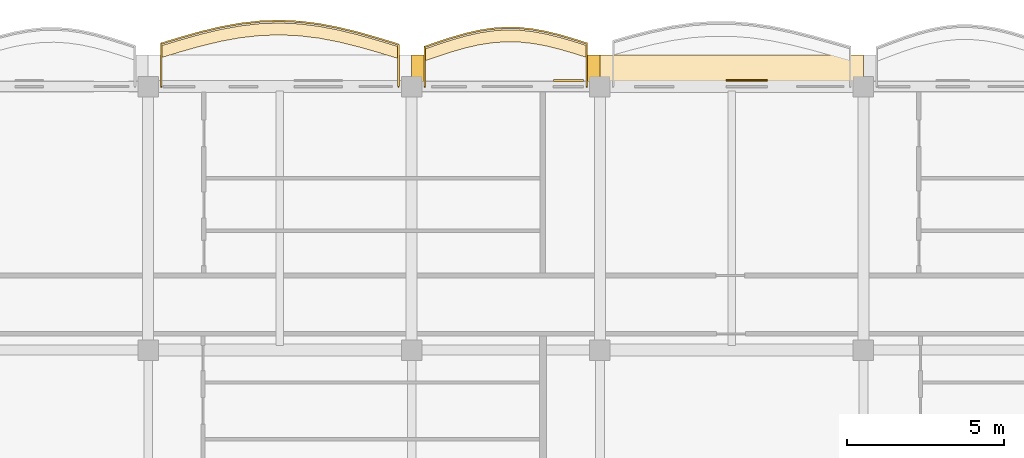
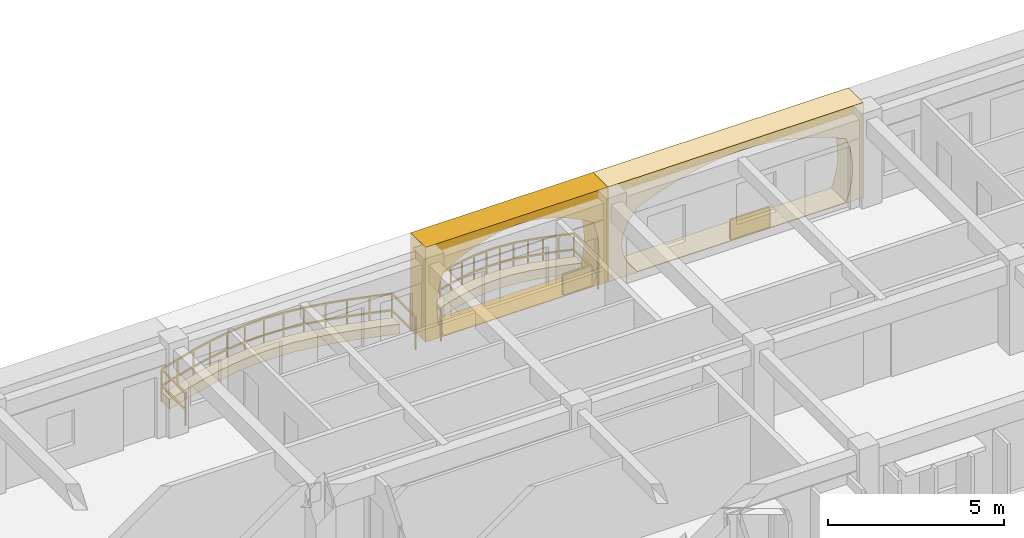
# One storey, part 67 of 79: 6 coverings, 2 railings.
"""IFC4 building model written with IfcOpenShell, lengths in metres."""

from ifc_helpers import new_model, si_unit, direction, frame, origin, origin_2d, place, context, subcontext, project, spatial, polyline, rectangle, outline, extrude, material, layer, layer_set, type_object, element, save


model = new_model("IFC4")

# Units and contexts
model_context = context("Model", 3, precision=1e-05, world=origin(), true_north=direction((0.0, 1.0)))
body_context = subcontext(model_context, "Body", "Model", "MODEL_VIEW")
ifc_project = project(units=[si_unit("LENGTHUNIT", "METRE"), si_unit("AREAUNIT", "SQUARE_METRE"), si_unit("VOLUMEUNIT", "CUBIC_METRE"), si_unit("PLANEANGLEUNIT", "RADIAN"), si_unit("MASSUNIT", "GRAM", prefix="KILO"), si_unit("THERMODYNAMICTEMPERATUREUNIT", "KELVIN")], contexts=[model_context])

# Site, building, storey
site_placement = place(None, origin())
site = spatial("IfcSite", under=ifc_project, at=site_placement, CompositionType="ELEMENT")
building_placement = place(site_placement, origin())
building = spatial("IfcBuilding", under=site, at=building_placement, Name="Thalorik Housing Commons", CompositionType="ELEMENT")
storey_placement = place(building_placement, frame((0.0, 0.0, 11.39990234375)))
storey = spatial("IfcBuildingStorey", under=building, at=storey_placement, Name="L03", CompositionType="ELEMENT", Elevation=11.39990234375)

# Coverings
ifc_material_1 = material(Name="Cobalt blue glazed ceramic facade tile panel", Category="masonry")
ifc_layer_1 = layer(ifc_material_1, 0.06005859375, Name="Cobalt blue glazed ceramic facade tile panel", Category="masonry")
ifc_layer_set_1 = layer_set([ifc_layer_1], Name="Cobalt blue glazed ceramic facade tile panel")
covering_type_1 = type_object("IfcCoveringType", Name="ARC-CLD-BLU-60", PredefinedType="CLADDING", material=ifc_layer_set_1)
covering_1_placement = place(storey_placement, frame((134.284912109375, 123.794921875, 0.05029296875), z_axis=(0.0, 0.0, 1.0), x_axis=(-1.0, 0.0, 0.0)))
element("IfcCovering", 1, at=covering_1_placement, inside=storey, type_object=covering_type_1, Name="L03 De Stijl Recessed Window Spandrel 1859", PredefinedType="CLADDING", context=body_context, shape_type="SweptSolid", body=[
    extrude(rectangle(XDim=1.300048828125, YDim=0.06005859375, at=origin_2d()), origin(), (0.0, 0.0, 1.0), 0.699951171875),
])
ifc_material_2 = material(Name="Precast concrete C40/50", Category="concrete")
ifc_layer_2 = layer(ifc_material_2, 0.85009765625, Name="Precast concrete C40/50", Category="concrete")
ifc_layer_set_2 = layer_set([ifc_layer_2], Name="Precast concrete C40/50")
covering_type_2 = type_object("IfcCoveringType", Name="ARC-CLD-CUSH-850", PredefinedType="CLADDING", material=ifc_layer_set_2)
covering_2_placement = place(storey_placement, frame((133.800048828125, 124.18505859375, 0.0), z_axis=(0.0, 0.0, 1.0), x_axis=(-1.0, 0.0, 0.0)))
element("IfcCovering", 2, at=covering_2_placement, inside=storey, type_object=covering_type_2, Name="L03 White Precast Curved Cushion Bay Frame 1858", PredefinedType="CLADDING", context=body_context, shape_type="SweptSolid", body=[
    extrude(outline(polyline([(-4.199951171875, 0.0), (4.199951171875, 0.0), (4.199951171875, 3.300048828125), (-4.199951171875, 3.300048828125), (-4.199951171875, 0.0)]), holes=[polyline([(3.239990234375, 0.02490234375), (3.523193359375, 0.394287109375), (3.693359375, 0.76318359375), (3.75, 1.132568359375), (3.693359375, 1.501708984375), (3.523193359375, 1.870849609375), (3.239990234375, 2.239990234375), (2.66748046875, 2.4833984375), (2.094970703125, 2.6748046875), (1.5224609375, 2.82958984375), (0.949951171875, 2.94482421875), (0.37744140625, 3.01611328125), (-0.195068359375, 3.0400390625), (-0.767578125, 3.01611328125), (-1.340087890625, 2.94482421875), (-1.91259765625, 2.82958984375), (-2.485107421875, 2.6748046875), (-3.0576171875, 2.4833984375), (-3.6298828125, 2.239990234375), (-3.750244140625, 1.870849609375), (-3.822509765625, 1.501708984375), (-3.8466796875, 1.132568359375), (-3.822509765625, 0.76318359375), (-3.750244140625, 0.394287109375), (-3.6298828125, 0.02490234375), (3.239990234375, 0.02490234375)])]), frame((0.0, 0.425048828125, 0.0), z_axis=(0.0, -1.0, 0.0), x_axis=(1.0, 0.0, 0.0)), (0.0, 0.0, 1.0), 0.85009765625),
])
covering_3_placement = place(storey_placement, frame((126.60009765625, 124.18505859375, 0.0), z_axis=(0.0, 0.0, 1.0), x_axis=(-1.0, 0.0, 0.0)))
element("IfcCovering", 3, at=covering_3_placement, inside=storey, type_object=covering_type_2, Name="L03 White Precast Curved Cushion Bay Frame 1860", PredefinedType="CLADDING", context=body_context, shape_type="SweptSolid", body=[
    extrude(outline(polyline([(-3.0, 0.0), (3.0, 0.0), (3.0, 3.300048828125), (-3.0, 3.300048828125), (-3.0, 0.0)]), holes=[polyline([(2.405029296875, 0.02490234375), (2.530517578125, 0.394287109375), (2.60595703125, 0.76318359375), (2.631103515625, 1.132568359375), (2.60595703125, 1.501708984375), (2.530517578125, 1.870849609375), (2.405029296875, 2.239990234375), (1.99462890625, 2.4833984375), (1.584228515625, 2.6748046875), (1.173828125, 2.82958984375), (0.76318359375, 2.94482421875), (0.352783203125, 3.01611328125), (-0.0576171875, 3.0400390625), (-0.468017578125, 3.01611328125), (-0.87841796875, 2.94482421875), (-1.288818359375, 2.82958984375), (-1.69921875, 2.6748046875), (-2.109619140625, 2.4833984375), (-2.52001953125, 2.239990234375), (-2.621337890625, 1.870849609375), (-2.68212890625, 1.501708984375), (-2.702392578125, 1.132568359375), (-2.68212890625, 0.76318359375), (-2.621337890625, 0.394287109375), (-2.52001953125, 0.02490234375), (2.405029296875, 0.02490234375)])]), frame((0.0, 0.425048828125, 0.0), z_axis=(0.0, -1.0, 0.0), x_axis=(1.0, 0.0, 0.0)), (0.0, 0.0, 1.0), 0.85009765625),
])
ifc_material_3 = material(Name="Mineral ochre architectural terracotta panel", Category="masonry")
ifc_layer_3 = layer(ifc_material_3, 0.06494140625, Name="Mineral ochre architectural terracotta panel", Category="masonry")
ifc_layer_set_3 = layer_set([ifc_layer_3], Name="Mineral ochre architectural terracotta panel")
covering_type_3 = type_object("IfcCoveringType", Name="ARC-CLD-YEL-65", PredefinedType="CLADDING", material=ifc_layer_set_3)
covering_4_placement = place(storey_placement, frame((128.594970703125, 123.797607421875, 0.05029296875), z_axis=(0.0, 0.0, 1.0), x_axis=(-1.0, 0.0, 0.0)))
element("IfcCovering", 4, at=covering_4_placement, inside=storey, type_object=covering_type_3, Name="L03 De Stijl Recessed Window Spandrel 1861", PredefinedType="CLADDING", context=body_context, shape_type="SweptSolid", body=[
    extrude(rectangle(XDim=0.949951171875, YDim=0.06494140625, at=origin_2d()), origin(), (0.0, 0.0, 1.0), 0.699951171875),
])
ifc_material_4 = material(Name="Planted vegetated substrate and terracotta trough", Category="masonry")
ifc_layer_4 = layer(ifc_material_4, 0.340087890625, Name="Planted vegetated substrate and terracotta trough", Category="masonry")
ifc_layer_set_4 = layer_set([ifc_layer_4], Name="Planted vegetated substrate and terracotta trough")
covering_type_4 = type_object("IfcCoveringType", Name="ARC-COV-PLANTER", PredefinedType="USERDEFINED", material=ifc_layer_set_4)
covering_5_placement = place(storey_placement, origin())
element("IfcCovering", 5, at=covering_5_placement, inside=storey, type_object=covering_type_4, Name="L03 Balcony Slab-Edge Planted Trough 5439", ObjectType="PLANTER", PredefinedType="USERDEFINED", context=body_context, shape_type="SweptSolid", body=[
    extrude(outline(polyline([(123.179931640625, 124.874267578125), (122.550048828125, 125.065185546875), (121.919921875, 125.24462890625), (121.2900390625, 125.400390625), (120.659912109375, 125.521484375), (120.030029296875, 125.599609375), (119.39990234375, 125.62890625), (118.77001953125, 125.60791015625), (118.139892578125, 125.53759765625), (117.510009765625, 125.423095703125), (116.8798828125, 125.2724609375), (116.25, 125.095703125), (115.6201171875, 124.9052734375), (115.6201171875, 124.525146484375), (116.25, 124.715576171875), (116.8798828125, 124.892333984375), (117.510009765625, 125.043212890625), (118.139892578125, 125.15771484375), (118.77001953125, 125.227783203125), (119.39990234375, 125.2490234375), (120.030029296875, 125.219482421875), (120.659912109375, 125.1416015625), (121.2900390625, 125.0205078125), (121.919921875, 124.86474609375), (122.550048828125, 124.685302734375), (123.179931640625, 124.494384765625), (123.179931640625, 124.874267578125)])), origin(), (0.0, 0.0, 1.0), 0.340087890625),
])
covering_6_placement = place(storey_placement, origin())
element("IfcCovering", 6, at=covering_6_placement, inside=storey, type_object=covering_type_4, Name="L03 Balcony Slab-Edge Planted Trough 5440", ObjectType="PLANTER", PredefinedType="USERDEFINED", context=body_context, shape_type="SweptSolid", body=[
    extrude(outline(polyline([(129.179931640625, 124.908203125), (128.75, 125.04443359375), (128.320068359375, 125.170166015625), (127.889892578125, 125.2763671875), (127.4599609375, 125.35498046875), (127.030029296875, 125.39990234375), (126.60009765625, 125.407958984375), (126.169921875, 125.377685546875), (125.739990234375, 125.311279296875), (125.31005859375, 125.212890625), (124.8798828125, 125.089111328125), (124.449951171875, 124.948486328125), (124.02001953125, 124.80078125), (124.02001953125, 124.4208984375), (124.449951171875, 124.568603515625), (124.8798828125, 124.708984375), (125.31005859375, 124.832763671875), (125.739990234375, 124.931396484375), (126.169921875, 124.997802734375), (126.60009765625, 125.02783203125), (127.030029296875, 125.02001953125), (127.4599609375, 124.974853515625), (127.889892578125, 124.896240234375), (128.320068359375, 124.790283203125), (128.75, 124.664306640625), (129.179931640625, 124.5283203125), (129.179931640625, 124.908203125)])), origin(), (0.0, 0.0, 1.0), 0.340087890625),
])

# Railings
ifc_material_5 = material(Name="Steel S355", Category="steel")
railing_type_1 = type_object("IfcRailingType", Name="ARC-RL-BAL-112", PredefinedType="BALUSTRADE", material=ifc_material_5)
railing_1_placement = place(storey_placement, frame((129.179931640625, 123.60009765625, 0.0)))
element("IfcRailing", 7, at=railing_1_placement, inside=storey, type_object=railing_type_1, Name="L03 Cushion Balcony Guardrail 124", PredefinedType="BALUSTRADE", context=body_context, shape_type="SweptSolid", body=[
    extrude(rectangle(XDim=0.050048828125, YDim=0.050048828125, at=origin_2d()), frame((0.0, 0.0, 1.09521484375), z_axis=(0.0, 1.0, 0.0), x_axis=(-1.0, 0.0, 0.0)), (0.0, 0.0, 1.0), 1.378173828125),
    extrude(rectangle(XDim=0.050048828125, YDim=0.050048828125, at=origin_2d()), frame((0.0, 0.0, 0.53515625), z_axis=(0.0, 1.0, 0.0), x_axis=(-1.0, 0.0, 0.0)), (0.0, 0.0, 1.0), 1.378173828125),
    extrude(rectangle(XDim=0.050048828125, YDim=0.050048828125, at=origin_2d()), frame((0.0, 1.378173828125, 1.09521484375), z_axis=(-0.953287680153, 0.302063898652, 0.0), x_axis=(-0.302063898652, -0.953287680153, 0.0)), (0.0, 0.0, 1.0), 0.450927734375),
    extrude(rectangle(XDim=0.050048828125, YDim=0.050048828125, at=origin_2d()), frame((0.0, 1.378173828125, 0.53515625), z_axis=(-0.953287680153, 0.302063898652, 0.0), x_axis=(-0.302063898652, -0.953287680153, 0.0)), (0.0, 0.0, 1.0), 0.450927734375),
    extrude(rectangle(XDim=0.050048828125, YDim=0.050048828125, at=origin_2d()), frame((-0.429931640625, 1.514404296875, 1.09521484375), z_axis=(-0.959798308367, 0.280690589897, 0.0), x_axis=(-0.280690589897, -0.959798308367, 0.0)), (0.0, 0.0, 1.0), 0.447998046875),
    extrude(rectangle(XDim=0.050048828125, YDim=0.050048828125, at=origin_2d()), frame((-0.429931640625, 1.514404296875, 0.53515625), z_axis=(-0.959798308367, 0.280690589897, 0.0), x_axis=(-0.280690589897, -0.959798308367, 0.0)), (0.0, 0.0, 1.0), 0.447998046875),
    extrude(rectangle(XDim=0.050048828125, YDim=0.050048828125, at=origin_2d()), frame((-0.85986328125, 1.64013671875, 1.09521484375), z_axis=(-0.970979450466, 0.239162929343, 0.0), x_axis=(-0.239162929343, -0.970979450466, 0.0)), (0.0, 0.0, 1.0), 0.443115234375),
    extrude(rectangle(XDim=0.050048828125, YDim=0.050048828125, at=origin_2d()), frame((-0.85986328125, 1.64013671875, 0.53515625), z_axis=(-0.970979450466, 0.239162929343, 0.0), x_axis=(-0.239162929343, -0.970979450466, 0.0)), (0.0, 0.0, 1.0), 0.443115234375),
    extrude(rectangle(XDim=0.050048828125, YDim=0.050048828125, at=origin_2d()), frame((-1.2900390625, 1.74609375, 1.09521484375), z_axis=(-0.983690667617, 0.179868480961, 0.0), x_axis=(-0.179868480961, -0.983690667617, 0.0)), (0.0, 0.0, 1.0), 0.43701171875),
    extrude(rectangle(XDim=0.050048828125, YDim=0.050048828125, at=origin_2d()), frame((-1.2900390625, 1.74609375, 0.53515625), z_axis=(-0.983690667617, 0.179868480961, 0.0), x_axis=(-0.179868480961, -0.983690667617, 0.0)), (0.0, 0.0, 1.0), 0.43701171875),
    extrude(rectangle(XDim=0.050048828125, YDim=0.050048828125, at=origin_2d()), frame((-1.719970703125, 1.82470703125, 1.09521484375), z_axis=(-0.994527093325, 0.104478996176, 0.0), x_axis=(-0.104478996176, -0.994527093325, 0.0)), (0.0, 0.0, 1.0), 0.432373046875),
    extrude(rectangle(XDim=0.050048828125, YDim=0.050048828125, at=origin_2d()), frame((-1.719970703125, 1.82470703125, 0.53515625), z_axis=(-0.994527093325, 0.104478996176, 0.0), x_axis=(-0.104478996176, -0.994527093325, 0.0)), (0.0, 0.0, 1.0), 0.432373046875),
    extrude(rectangle(XDim=0.050048828125, YDim=0.050048828125, at=origin_2d()), frame((-2.14990234375, 1.869873046875, 1.09521484375), z_axis=(-0.999834939289, 0.01816849407, 0.0), x_axis=(-0.01816849407, -0.999834939289, 0.0)), (0.0, 0.0, 1.0), 0.429931640625),
    extrude(rectangle(XDim=0.050048828125, YDim=0.050048828125, at=origin_2d()), frame((-2.14990234375, 1.869873046875, 0.53515625), z_axis=(-0.999834939289, 0.01816849407, 0.0), x_axis=(-0.01816849407, -0.999834939289, 0.0)), (0.0, 0.0, 1.0), 0.429931640625),
    extrude(rectangle(XDim=0.050048828125, YDim=0.050048828125, at=origin_2d()), frame((-2.579833984375, 1.877685546875, 1.09521484375), z_axis=(-0.997572357633, -0.069637570936, 0.0), x_axis=(0.069637570936, -0.997572357633, 0.0)), (0.0, 0.0, 1.0), 0.43115234375),
    extrude(rectangle(XDim=0.050048828125, YDim=0.050048828125, at=origin_2d()), frame((-2.579833984375, 1.877685546875, 0.53515625), z_axis=(-0.997572357633, -0.069637570936, 0.0), x_axis=(0.069637570936, -0.997572357633, 0.0)), (0.0, 0.0, 1.0), 0.43115234375),
    extrude(rectangle(XDim=0.050048828125, YDim=0.050048828125, at=origin_2d()), frame((-3.010009765625, 1.84765625, 1.09521484375), z_axis=(-0.988280690568, -0.152647556976, 0.0), x_axis=(0.152647556976, -0.988280690568, 0.0)), (0.0, 0.0, 1.0), 0.43505859375),
    extrude(rectangle(XDim=0.050048828125, YDim=0.050048828125, at=origin_2d()), frame((-3.010009765625, 1.84765625, 0.53515625), z_axis=(-0.988280690568, -0.152647556976, 0.0), x_axis=(0.152647556976, -0.988280690568, 0.0)), (0.0, 0.0, 1.0), 0.43505859375),
    extrude(rectangle(XDim=0.050048828125, YDim=0.050048828125, at=origin_2d()), frame((-3.43994140625, 1.78125, 1.09521484375), z_axis=(-0.974679568058, -0.2236062155, 0.0), x_axis=(0.2236062155, -0.974679568058, 0.0)), (0.0, 0.0, 1.0), 0.441162109375),
    extrude(rectangle(XDim=0.050048828125, YDim=0.050048828125, at=origin_2d()), frame((-3.43994140625, 1.78125, 0.53515625), z_axis=(-0.974679568058, -0.2236062155, 0.0), x_axis=(0.2236062155, -0.974679568058, 0.0)), (0.0, 0.0, 1.0), 0.441162109375),
    extrude(rectangle(XDim=0.050048828125, YDim=0.050048828125, at=origin_2d()), frame((-3.869873046875, 1.6826171875, 1.09521484375), z_axis=(-0.961007725956, -0.27652151933, 0.0), x_axis=(0.27652151933, -0.961007725956, 0.0)), (0.0, 0.0, 1.0), 0.447509765625),
    extrude(rectangle(XDim=0.050048828125, YDim=0.050048828125, at=origin_2d()), frame((-3.869873046875, 1.6826171875, 0.53515625), z_axis=(-0.961007725956, -0.27652151933, 0.0), x_axis=(0.27652151933, -0.961007725956, 0.0)), (0.0, 0.0, 1.0), 0.447509765625),
    extrude(rectangle(XDim=0.050048828125, YDim=0.050048828125, at=origin_2d()), frame((-4.300048828125, 1.558837890625, 1.09521484375), z_axis=(-0.950608707094, -0.310391826564, 0.0), x_axis=(0.310391826564, -0.950608707094, 0.0)), (0.0, 0.0, 1.0), 0.4521484375),
    extrude(rectangle(XDim=0.050048828125, YDim=0.050048828125, at=origin_2d()), frame((-4.300048828125, 1.558837890625, 0.53515625), z_axis=(-0.950608707094, -0.310391826564, 0.0), x_axis=(0.310391826564, -0.950608707094, 0.0)), (0.0, 0.0, 1.0), 0.4521484375),
    extrude(rectangle(XDim=0.050048828125, YDim=0.050048828125, at=origin_2d()), frame((-4.72998046875, 1.41845703125, 1.09521484375), z_axis=(-0.945743338546, -0.324914662022, 0.0), x_axis=(0.324914662022, -0.945743338546, 0.0)), (0.0, 0.0, 1.0), 0.45458984375),
    extrude(rectangle(XDim=0.050048828125, YDim=0.050048828125, at=origin_2d()), frame((-4.72998046875, 1.41845703125, 0.53515625), z_axis=(-0.945743338546, -0.324914662022, 0.0), x_axis=(0.324914662022, -0.945743338546, 0.0)), (0.0, 0.0, 1.0), 0.45458984375),
    extrude(rectangle(XDim=0.050048828125, YDim=0.050048828125, at=origin_2d()), frame((-5.159912109375, 1.270751953125, 1.09521484375), z_axis=(0.0, -1.0, 0.0), x_axis=(1.0, 0.0, 0.0)), (0.0, 0.0, 1.0), 1.270751953125),
    extrude(rectangle(XDim=0.050048828125, YDim=0.050048828125, at=origin_2d()), frame((-5.159912109375, 1.270751953125, 0.53515625), z_axis=(0.0, -1.0, 0.0), x_axis=(1.0, 0.0, 0.0)), (0.0, 0.0, 1.0), 1.270751953125),
    extrude(rectangle(XDim=0.0419921875, YDim=0.0419921875, at=origin_2d()), origin(), (0.0, 0.0, 1.0), 1.070068359375),
    extrude(rectangle(XDim=0.0419921875, YDim=0.0419921875, at=origin_2d()), frame((0.0, 1.378173828125, 0.0)), (0.0, 0.0, 1.0), 1.070068359375),
    extrude(rectangle(XDim=0.0419921875, YDim=0.0419921875, at=origin_2d()), frame((-0.429931640625, 1.514404296875, 0.0)), (0.0, 0.0, 1.0), 1.070068359375),
    extrude(rectangle(XDim=0.0419921875, YDim=0.0419921875, at=origin_2d()), frame((-0.85986328125, 1.64013671875, 0.0)), (0.0, 0.0, 1.0), 1.070068359375),
    extrude(rectangle(XDim=0.0419921875, YDim=0.0419921875, at=origin_2d()), frame((-1.2900390625, 1.74609375, 0.0)), (0.0, 0.0, 1.0), 1.070068359375),
    extrude(rectangle(XDim=0.0419921875, YDim=0.0419921875, at=origin_2d()), frame((-1.719970703125, 1.82470703125, 0.0)), (0.0, 0.0, 1.0), 1.070068359375),
    extrude(rectangle(XDim=0.0419921875, YDim=0.0419921875, at=origin_2d()), frame((-2.14990234375, 1.869873046875, 0.0)), (0.0, 0.0, 1.0), 1.070068359375),
    extrude(rectangle(XDim=0.0419921875, YDim=0.0419921875, at=origin_2d()), frame((-2.579833984375, 1.877685546875, 0.0)), (0.0, 0.0, 1.0), 1.070068359375),
    extrude(rectangle(XDim=0.0419921875, YDim=0.0419921875, at=origin_2d()), frame((-3.010009765625, 1.84765625, 0.0)), (0.0, 0.0, 1.0), 1.070068359375),
    extrude(rectangle(XDim=0.0419921875, YDim=0.0419921875, at=origin_2d()), frame((-3.43994140625, 1.78125, 0.0)), (0.0, 0.0, 1.0), 1.070068359375),
    extrude(rectangle(XDim=0.0419921875, YDim=0.0419921875, at=origin_2d()), frame((-3.869873046875, 1.6826171875, 0.0)), (0.0, 0.0, 1.0), 1.070068359375),
    extrude(rectangle(XDim=0.0419921875, YDim=0.0419921875, at=origin_2d()), frame((-4.300048828125, 1.558837890625, 0.0)), (0.0, 0.0, 1.0), 1.070068359375),
    extrude(rectangle(XDim=0.0419921875, YDim=0.0419921875, at=origin_2d()), frame((-4.72998046875, 1.41845703125, 0.0)), (0.0, 0.0, 1.0), 1.070068359375),
    extrude(rectangle(XDim=0.0419921875, YDim=0.0419921875, at=origin_2d()), frame((-5.159912109375, 1.270751953125, 0.0)), (0.0, 0.0, 1.0), 1.070068359375),
    extrude(rectangle(XDim=0.0419921875, YDim=0.0419921875, at=origin_2d()), frame((-5.159912109375, 0.0, 0.0)), (0.0, 0.0, 1.0), 1.070068359375),
])
railing_type_2 = type_object("IfcRailingType", Name="ARC-RL-BAL-115", PredefinedType="BALUSTRADE", material=ifc_material_5)
railing_2_placement = place(storey_placement, frame((123.179931640625, 123.60009765625, 0.0)))
element("IfcRailing", 8, at=railing_2_placement, inside=storey, type_object=railing_type_2, Name="L03 Cushion Balcony Guardrail 123", PredefinedType="BALUSTRADE", context=body_context, shape_type="SweptSolid", body=[
    extrude(rectangle(XDim=0.050048828125, YDim=0.050048828125, at=origin_2d()), frame((0.0, 0.0, 1.125), z_axis=(0.0, 1.0, 0.0), x_axis=(-1.0, 0.0, 0.0)), (0.0, 0.0, 1.0), 1.34423828125),
    extrude(rectangle(XDim=0.050048828125, YDim=0.050048828125, at=origin_2d()), frame((0.0, 0.0, 0.5498046875), z_axis=(0.0, 1.0, 0.0), x_axis=(-1.0, 0.0, 0.0)), (0.0, 0.0, 1.0), 1.34423828125),
    extrude(rectangle(XDim=0.050048828125, YDim=0.050048828125, at=origin_2d()), frame((0.0, 1.34423828125, 1.125), z_axis=(-0.957005684235, 0.290069164756, 0.0), x_axis=(-0.290069164756, -0.957005684235, 0.0)), (0.0, 0.0, 1.0), 0.658203125),
    extrude(rectangle(XDim=0.050048828125, YDim=0.050048828125, at=origin_2d()), frame((0.0, 1.34423828125, 0.5498046875), z_axis=(-0.957005684235, 0.290069164756, 0.0), x_axis=(-0.290069164756, -0.957005684235, 0.0)), (0.0, 0.0, 1.0), 0.658203125),
    extrude(rectangle(XDim=0.050048828125, YDim=0.050048828125, at=origin_2d()), frame((-0.6298828125, 1.53515625, 1.125), z_axis=(-0.961762630436, 0.273884360081, 0.0), x_axis=(-0.273884360081, -0.961762630436, 0.0)), (0.0, 0.0, 1.0), 0.6552734375),
    extrude(rectangle(XDim=0.050048828125, YDim=0.050048828125, at=origin_2d()), frame((-0.6298828125, 1.53515625, 0.5498046875), z_axis=(-0.961762630436, 0.273884360081, 0.0), x_axis=(-0.273884360081, -0.961762630436, 0.0)), (0.0, 0.0, 1.0), 0.6552734375),
    extrude(rectangle(XDim=0.050048828125, YDim=0.050048828125, at=origin_2d()), frame((-1.260009765625, 1.714599609375, 1.125), z_axis=(-0.970759060708, 0.240055922764, 0.0), x_axis=(-0.240055922764, -0.970759060708, 0.0)), (0.0, 0.0, 1.0), 0.64892578125),
    extrude(rectangle(XDim=0.050048828125, YDim=0.050048828125, at=origin_2d()), frame((-1.260009765625, 1.714599609375, 0.5498046875), z_axis=(-0.970759060708, 0.240055922764, 0.0), x_axis=(-0.240055922764, -0.970759060708, 0.0)), (0.0, 0.0, 1.0), 0.64892578125),
    extrude(rectangle(XDim=0.050048828125, YDim=0.050048828125, at=origin_2d()), frame((-1.889892578125, 1.870361328125, 1.125), z_axis=(-0.982030863602, 0.188720382932, 0.0), x_axis=(-0.188720382932, -0.982030863602, 0.0)), (0.0, 0.0, 1.0), 0.6416015625),
    extrude(rectangle(XDim=0.050048828125, YDim=0.050048828125, at=origin_2d()), frame((-1.889892578125, 1.870361328125, 0.5498046875), z_axis=(-0.982030863602, 0.188720382932, 0.0), x_axis=(-0.188720382932, -0.982030863602, 0.0)), (0.0, 0.0, 1.0), 0.6416015625),
    extrude(rectangle(XDim=0.050048828125, YDim=0.050048828125, at=origin_2d()), frame((-2.52001953125, 1.991455078125, 1.125), z_axis=(-0.99244269425, 0.122708999793, 0.0), x_axis=(-0.122708999793, -0.99244269425, 0.0)), (0.0, 0.0, 1.0), 0.634765625),
    extrude(rectangle(XDim=0.050048828125, YDim=0.050048828125, at=origin_2d()), frame((-2.52001953125, 1.991455078125, 0.5498046875), z_axis=(-0.99244269425, 0.122708999793, 0.0), x_axis=(-0.122708999793, -0.99244269425, 0.0)), (0.0, 0.0, 1.0), 0.634765625),
    extrude(rectangle(XDim=0.050048828125, YDim=0.050048828125, at=origin_2d()), frame((-3.14990234375, 2.0693359375, 1.125), z_axis=(-0.99890289151, 0.046829620253, 0.0), x_axis=(-0.046829620253, -0.99890289151, 0.0)), (0.0, 0.0, 1.0), 0.630859375),
    extrude(rectangle(XDim=0.050048828125, YDim=0.050048828125, at=origin_2d()), frame((-3.14990234375, 2.0693359375, 0.5498046875), z_axis=(-0.99890289151, 0.046829620253, 0.0), x_axis=(-0.046829620253, -0.99890289151, 0.0)), (0.0, 0.0, 1.0), 0.630859375),
    extrude(rectangle(XDim=0.050048828125, YDim=0.050048828125, at=origin_2d()), frame((-3.780029296875, 2.098876953125, 1.125), z_axis=(-0.999444906979, -0.033314830233, 0.0), x_axis=(0.033314830233, -0.999444906979, 0.0)), (0.0, 0.0, 1.0), 0.630126953125),
    extrude(rectangle(XDim=0.050048828125, YDim=0.050048828125, at=origin_2d()), frame((-3.780029296875, 2.098876953125, 0.5498046875), z_axis=(-0.999444906979, -0.033314830233, 0.0), x_axis=(0.033314830233, -0.999444906979, 0.0)), (0.0, 0.0, 1.0), 0.630126953125),
    extrude(rectangle(XDim=0.050048828125, YDim=0.050048828125, at=origin_2d()), frame((-4.409912109375, 2.077880859375, 1.125), z_axis=(-0.993831971969, -0.110896399817, 0.0), x_axis=(0.110896399817, -0.993831971969, 0.0)), (0.0, 0.0, 1.0), 0.634033203125),
    extrude(rectangle(XDim=0.050048828125, YDim=0.050048828125, at=origin_2d()), frame((-4.409912109375, 2.077880859375, 0.5498046875), z_axis=(-0.993831971969, -0.110896399817, 0.0), x_axis=(0.110896399817, -0.993831971969, 0.0)), (0.0, 0.0, 1.0), 0.634033203125),
    extrude(rectangle(XDim=0.050048828125, YDim=0.050048828125, at=origin_2d()), frame((-5.0400390625, 2.007568359375, 1.125), z_axis=(-0.983876011084, -0.178851879534, 0.0), x_axis=(0.178851879534, -0.983876011084, 0.0)), (0.0, 0.0, 1.0), 0.64013671875),
    extrude(rectangle(XDim=0.050048828125, YDim=0.050048828125, at=origin_2d()), frame((-5.0400390625, 2.007568359375, 0.5498046875), z_axis=(-0.983876011084, -0.178851879534, 0.0), x_axis=(0.178851879534, -0.983876011084, 0.0)), (0.0, 0.0, 1.0), 0.64013671875),
    extrude(rectangle(XDim=0.050048828125, YDim=0.050048828125, at=origin_2d()), frame((-5.669921875, 1.89306640625, 1.125), z_axis=(-0.972510295114, -0.232859884688, 0.0), x_axis=(0.232859884688, -0.972510295114, 0.0)), (0.0, 0.0, 1.0), 0.64794921875),
    extrude(rectangle(XDim=0.050048828125, YDim=0.050048828125, at=origin_2d()), frame((-5.669921875, 1.89306640625, 0.5498046875), z_axis=(-0.972510295114, -0.232859884688, 0.0), x_axis=(0.232859884688, -0.972510295114, 0.0)), (0.0, 0.0, 1.0), 0.64794921875),
    extrude(rectangle(XDim=0.050048828125, YDim=0.050048828125, at=origin_2d()), frame((-6.300048828125, 1.7421875, 1.125), z_axis=(-0.962808829557, -0.270183563023, 0.0), x_axis=(0.270183563023, -0.962808829557, 0.0)), (0.0, 0.0, 1.0), 0.654296875),
    extrude(rectangle(XDim=0.050048828125, YDim=0.050048828125, at=origin_2d()), frame((-6.300048828125, 1.7421875, 0.5498046875), z_axis=(-0.962808829557, -0.270183563023, 0.0), x_axis=(0.270183563023, -0.962808829557, 0.0)), (0.0, 0.0, 1.0), 0.654296875),
    extrude(rectangle(XDim=0.050048828125, YDim=0.050048828125, at=origin_2d()), frame((-6.929931640625, 1.5654296875, 1.125), z_axis=(-0.957211427299, -0.289389501276, 0.0), x_axis=(0.289389501276, -0.957211427299, 0.0)), (0.0, 0.0, 1.0), 0.657958984375),
    extrude(rectangle(XDim=0.050048828125, YDim=0.050048828125, at=origin_2d()), frame((-6.929931640625, 1.5654296875, 0.5498046875), z_axis=(-0.957211427299, -0.289389501276, 0.0), x_axis=(0.289389501276, -0.957211427299, 0.0)), (0.0, 0.0, 1.0), 0.657958984375),
    extrude(rectangle(XDim=0.050048828125, YDim=0.050048828125, at=origin_2d()), frame((-7.559814453125, 1.375, 1.125), z_axis=(0.0, -1.0, 0.0), x_axis=(1.0, 0.0, 0.0)), (0.0, 0.0, 1.0), 1.375),
    extrude(rectangle(XDim=0.050048828125, YDim=0.050048828125, at=origin_2d()), frame((-7.559814453125, 1.375, 0.5498046875), z_axis=(0.0, -1.0, 0.0), x_axis=(1.0, 0.0, 0.0)), (0.0, 0.0, 1.0), 1.375),
    extrude(rectangle(XDim=0.0419921875, YDim=0.0419921875, at=origin_2d()), origin(), (0.0, 0.0, 1.0), 1.099853515625),
    extrude(rectangle(XDim=0.0419921875, YDim=0.0419921875, at=origin_2d()), frame((0.0, 1.34423828125, 0.0)), (0.0, 0.0, 1.0), 1.099853515625),
    extrude(rectangle(XDim=0.0419921875, YDim=0.0419921875, at=origin_2d()), frame((-0.6298828125, 1.53515625, 0.0)), (0.0, 0.0, 1.0), 1.099853515625),
    extrude(rectangle(XDim=0.0419921875, YDim=0.0419921875, at=origin_2d()), frame((-1.260009765625, 1.714599609375, 0.0)), (0.0, 0.0, 1.0), 1.099853515625),
    extrude(rectangle(XDim=0.0419921875, YDim=0.0419921875, at=origin_2d()), frame((-1.889892578125, 1.870361328125, 0.0)), (0.0, 0.0, 1.0), 1.099853515625),
    extrude(rectangle(XDim=0.0419921875, YDim=0.0419921875, at=origin_2d()), frame((-2.52001953125, 1.991455078125, 0.0)), (0.0, 0.0, 1.0), 1.099853515625),
    extrude(rectangle(XDim=0.0419921875, YDim=0.0419921875, at=origin_2d()), frame((-3.14990234375, 2.0693359375, 0.0)), (0.0, 0.0, 1.0), 1.099853515625),
    extrude(rectangle(XDim=0.0419921875, YDim=0.0419921875, at=origin_2d()), frame((-3.780029296875, 2.098876953125, 0.0)), (0.0, 0.0, 1.0), 1.099853515625),
    extrude(rectangle(XDim=0.0419921875, YDim=0.0419921875, at=origin_2d()), frame((-4.409912109375, 2.077880859375, 0.0)), (0.0, 0.0, 1.0), 1.099853515625),
    extrude(rectangle(XDim=0.0419921875, YDim=0.0419921875, at=origin_2d()), frame((-5.0400390625, 2.007568359375, 0.0)), (0.0, 0.0, 1.0), 1.099853515625),
    extrude(rectangle(XDim=0.0419921875, YDim=0.0419921875, at=origin_2d()), frame((-5.669921875, 1.89306640625, 0.0)), (0.0, 0.0, 1.0), 1.099853515625),
    extrude(rectangle(XDim=0.0419921875, YDim=0.0419921875, at=origin_2d()), frame((-6.300048828125, 1.7421875, 0.0)), (0.0, 0.0, 1.0), 1.099853515625),
    extrude(rectangle(XDim=0.0419921875, YDim=0.0419921875, at=origin_2d()), frame((-6.929931640625, 1.5654296875, 0.0)), (0.0, 0.0, 1.0), 1.099853515625),
    extrude(rectangle(XDim=0.0419921875, YDim=0.0419921875, at=origin_2d()), frame((-7.559814453125, 1.375, 0.0)), (0.0, 0.0, 1.0), 1.099853515625),
    extrude(rectangle(XDim=0.0419921875, YDim=0.0419921875, at=origin_2d()), frame((-7.559814453125, 0.0, 0.0)), (0.0, 0.0, 1.0), 1.099853515625),
])

save(model, "model.ifc")
